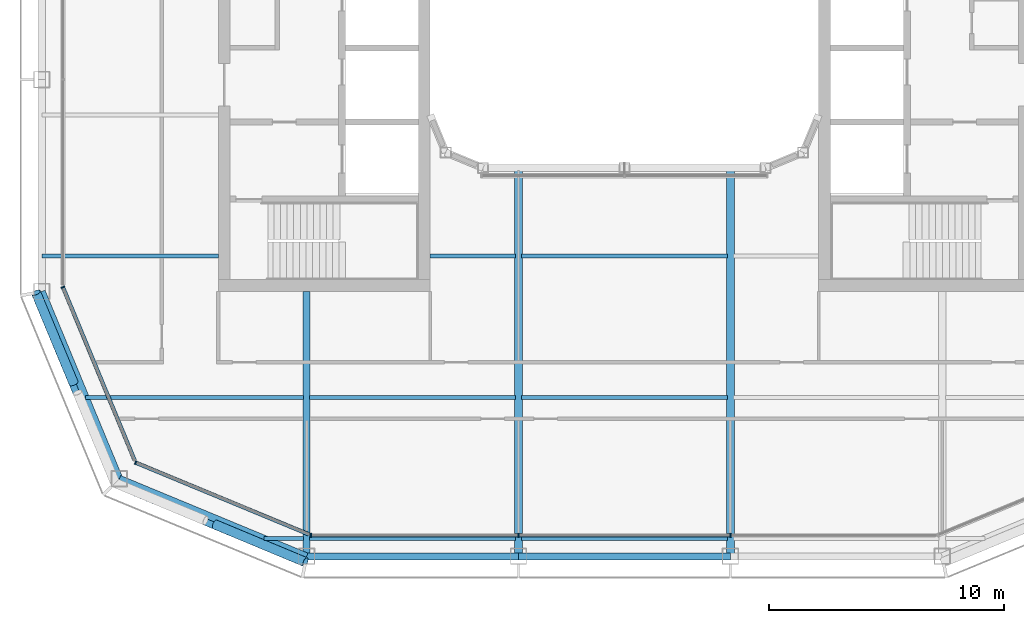
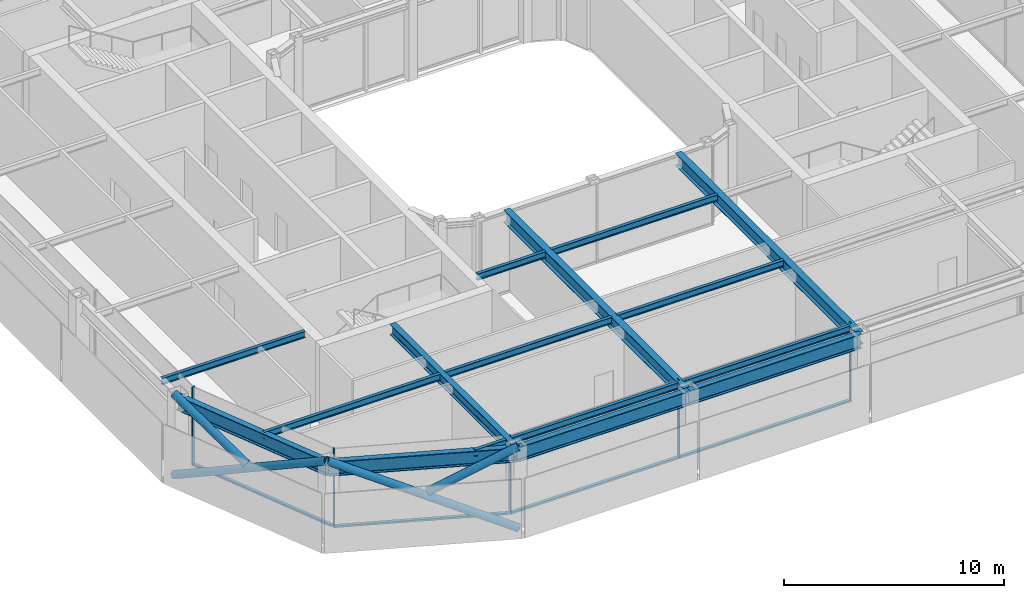
# One storey, part 3 of 21: 16 beams, 13 members, 3 elements without a shape of their own.
"""IFC4 building model written with IfcOpenShell, lengths in metres."""

from ifc_helpers import new_model, si_unit, direction, frame, origin, origin_2d, place, context, subcontext, project, spatial, rectangle, hollow_circle, i_section, extrude, material, layer, layer_set, material_profile, profile_set, type_object, element, aggregate, save


model = new_model("IFC4")

# Units and contexts
model_context = context("Model", 3, precision=1e-05, world=origin(), true_north=direction((0.0, 1.0)))
body_context = subcontext(model_context, "Body", "Model", "MODEL_VIEW")
ifc_project = project(units=[si_unit("LENGTHUNIT", "METRE"), si_unit("AREAUNIT", "SQUARE_METRE"), si_unit("VOLUMEUNIT", "CUBIC_METRE"), si_unit("PLANEANGLEUNIT", "RADIAN"), si_unit("MASSUNIT", "GRAM", prefix="KILO")], contexts=[model_context])

# Site, building, storey
site_placement = place(None, origin())
site = spatial("IfcSite", under=ifc_project, at=site_placement, CompositionType="ELEMENT")
building_placement = place(site_placement, origin())
building = spatial("IfcBuilding", under=site, at=building_placement, Name="Siwar Civic Tower", CompositionType="ELEMENT")
storey_placement = place(building_placement, frame((0.0, 0.0, 325.699951171875)))
storey = spatial("IfcBuildingStorey", under=building, at=storey_placement, Name="L70", CompositionType="ELEMENT", Elevation=325.699951171875)

# Curtain wall, members
ifc_material_1 = material(Name="Aluminium and glass", Category="aluminium")
ifc_layer_1 = layer(ifc_material_1, 0.159912109375)
ifc_layer_set_1 = layer_set([ifc_layer_1], Name="Aluminium and glass")
curtain_wall_type_1 = type_object("IfcCurtainWallType", Name="ENV-CW-D", PredefinedType="NOTDEFINED", material=ifc_layer_set_1)
curtain_wall_1_placement = place(storey_placement, origin())
curtain_wall_1 = element("IfcCurtainWall", 1, at=curtain_wall_1_placement, inside=storey, type_object=curtain_wall_type_1, Name="Curtain wall D S", PredefinedType="NOTDEFINED")
ifc_material_2 = material(Name="Aluminium 6063-T6", Category="aluminium")
ifc_material_profile_1 = material_profile(ifc_material_2, rectangle(XDim=0.159912109375, YDim=0.06005859375, at=origin_2d()), Name="AL 160x60")
ifc_profile_set_1 = profile_set([ifc_material_profile_1], Name="Aluminium 6063-T6")
member_type_1 = type_object("IfcMemberType", Name="ENV-MULLION-D", PredefinedType="MULLION", material=ifc_profile_set_1)
member_1_placement = place(storey_placement, frame((-13.321044921875, -23.85009765625, 0.0), z_axis=(0.0, 0.0, 1.0), x_axis=(0.0, 1.0, 0.0)))
member_1 = element("IfcMember", 2, at=member_1_placement, type_object=member_type_1, Name="Mullion D S 1", PredefinedType="MULLION", context=body_context, shape_type="SweptSolid", body=[
    extrude(rectangle(XDim=0.159912109375, YDim=0.06005859375, at=origin_2d()), origin(), (0.0, 0.0, 1.0), 4.35009765625),
])
member_2_placement = place(storey_placement, frame((-4.5, -23.85009765625, 0.0), z_axis=(0.0, 0.0, 1.0), x_axis=(0.0, 1.0, 0.0)))
member_2 = element("IfcMember", 3, at=member_2_placement, type_object=member_type_1, Name="Mullion D S 2", PredefinedType="MULLION", context=body_context, shape_type="SweptSolid", body=[
    extrude(rectangle(XDim=0.159912109375, YDim=0.06005859375, at=origin_2d()), origin(), (0.0, 0.0, 1.0), 4.35009765625),
])
member_3_placement = place(storey_placement, frame((4.5, -23.85009765625, 0.0), z_axis=(0.0, 0.0, 1.0), x_axis=(0.0, 1.0, 0.0)))
member_3 = element("IfcMember", 4, at=member_3_placement, type_object=member_type_1, Name="Mullion D S 3", PredefinedType="MULLION", context=body_context, shape_type="SweptSolid", body=[
    extrude(rectangle(XDim=0.159912109375, YDim=0.06005859375, at=origin_2d()), origin(), (0.0, 0.0, 1.0), 4.35009765625),
])

# Curtain wall, member
ifc_material_3 = material(Name="Aluminium clad insulated panel", Category="aluminium")
ifc_layer_2 = layer(ifc_material_3, 0.159912109375)
ifc_layer_set_2 = layer_set([ifc_layer_2], Name="Aluminium clad insulated panel")
curtain_wall_type_2 = type_object("IfcCurtainWallType", Name="ENV-CW-DX", PredefinedType="NOTDEFINED", material=ifc_layer_set_2)
curtain_wall_2_placement = place(storey_placement, origin())
curtain_wall_2 = element("IfcCurtainWall", 5, at=curtain_wall_2_placement, inside=storey, type_object=curtain_wall_type_2, Name="Curtain wall D SW1", PredefinedType="NOTDEFINED")
member_4_placement = place(storey_placement, frame((-23.85009765625, -13.321044921875, 0.0), z_axis=(0.0, 0.0, 1.0), x_axis=(0.923879532511, 0.382683432365, 0.0)))
member_4 = element("IfcMember", 6, at=member_4_placement, type_object=member_type_1, Name="Mullion D SW1 1", PredefinedType="MULLION", context=body_context, shape_type="SweptSolid", body=[
    extrude(rectangle(XDim=0.159912109375, YDim=0.06005859375, at=origin_2d()), origin(), (0.0, 0.0, 1.0), 4.35009765625),
])

curtain_wall_3_placement = place(storey_placement, origin())
curtain_wall_3 = element("IfcCurtainWall", 7, at=curtain_wall_3_placement, inside=storey, type_object=curtain_wall_type_2, Name="Curtain wall D SW2", PredefinedType="NOTDEFINED")
member_5_placement = place(storey_placement, frame((-20.76611328125, -20.76611328125, 0.0), z_axis=(0.0, 0.0, 1.0), x_axis=(0.382683432365, 0.923879532511, 0.0)))
member_5 = element("IfcMember", 8, at=member_5_placement, type_object=member_type_1, Name="Mullion D SW2 1", PredefinedType="MULLION", context=body_context, shape_type="SweptSolid", body=[
    extrude(rectangle(XDim=0.159912109375, YDim=0.06005859375, at=origin_2d()), origin(), (0.0, 0.0, 1.0), 4.35009765625),
])

# Member
ifc_material_4 = material(Name="Aluminium 6063-T6", Category="aluminium")
ifc_material_profile_2 = material_profile(ifc_material_4, rectangle(XDim=0.159912109375, YDim=0.10009765625, at=origin_2d()), Name="AL 160x100")
ifc_profile_set_2 = profile_set([ifc_material_profile_2], Name="Aluminium 6063-T6")
member_type_2 = type_object("IfcMemberType", Name="ENV-TRANSOM-D", PredefinedType="USERDEFINED", material=ifc_profile_set_2)
member_6_placement = place(storey_placement, frame((-13.291015625, -23.85009765625, 0.050048828125), z_axis=(1.0, 0.0, 0.0), x_axis=(0.0, 1.0, 0.0)))
member_6 = element("IfcMember", 9, at=member_6_placement, type_object=member_type_2, Name="Transom D S 1", ObjectType="TRANSOM", PredefinedType="USERDEFINED", context=body_context, shape_type="SweptSolid", body=[
    extrude(rectangle(XDim=0.159912109375, YDim=0.10009765625, at=origin_2d()), origin(), (0.0, 0.0, 1.0), 8.760986328125),
])

member_7_placement = place(storey_placement, frame((-4.469970703125, -23.85009765625, 0.050048828125), z_axis=(1.0, 0.0, 0.0), x_axis=(0.0, 1.0, 0.0)))
member_7 = element("IfcMember", 10, at=member_7_placement, type_object=member_type_2, Name="Transom D S 2", ObjectType="TRANSOM", PredefinedType="USERDEFINED", context=body_context, shape_type="SweptSolid", body=[
    extrude(rectangle(XDim=0.159912109375, YDim=0.10009765625, at=origin_2d()), origin(), (0.0, 0.0, 1.0), 8.93994140625),
])

aggregate(curtain_wall_1, [member_1, member_2, member_3, member_6, member_7])

member_8_placement = place(storey_placement, frame((-23.838623046875, -13.3486328125, 0.050048828125), z_axis=(0.382699790424, -0.923872756612, 0.0), x_axis=(0.923872756612, 0.382699790424, 0.0)))
member_8 = element("IfcMember", 11, at=member_8_placement, type_object=member_type_2, Name="Transom D SW1 1", ObjectType="TRANSOM", PredefinedType="USERDEFINED", context=body_context, shape_type="SweptSolid", body=[
    extrude(rectangle(XDim=0.159912109375, YDim=0.10009765625, at=origin_2d()), origin(), (0.0, 0.0, 1.0), 7.930908203125),
])

aggregate(curtain_wall_2, [member_4, member_8])

member_9_placement = place(storey_placement, frame((-20.738525390625, -20.777587890625, 0.050048828125), z_axis=(0.923883640343, -0.382673515031, 0.0), x_axis=(0.382673515031, 0.923883640343, 0.0)))
member_9 = element("IfcMember", 12, at=member_9_placement, type_object=member_type_2, Name="Transom D SW2 1", ObjectType="TRANSOM", PredefinedType="USERDEFINED", context=body_context, shape_type="SweptSolid", body=[
    extrude(rectangle(XDim=0.159912109375, YDim=0.10009765625, at=origin_2d()), origin(), (0.0, 0.0, 1.0), 7.930908203125),
])

aggregate(curtain_wall_3, [member_5, member_9])

# Members
ifc_material_5 = material(Name="Steel S355", Category="steel")
ifc_material_profile_3 = material_profile(ifc_material_5, hollow_circle(Radius=0.203125, WallThickness=0.01611328125, at=origin_2d()), Name="CHS406.4x16")
ifc_profile_set_3 = profile_set([ifc_material_profile_3], Name="Steel S355")
member_type_3 = type_object("IfcMemberType", Name="STR-BR-CHS406.4x16", PredefinedType="BRACE", material=ifc_profile_set_3)
member_10_placement = place(storey_placement, frame((-13.548828125, -24.9951171875, 0.0), z_axis=(-0.821142553604, 0.341671493852, 0.457149315816), x_axis=(-0.384163874976, -0.923264922524, 0.0)))
element("IfcMember", 13, at=member_10_placement, inside=storey, type_object=member_type_3, Name="L70/brc/DSW1-9-0-1", PredefinedType="BRACE", context=body_context, shape_type="SweptSolid", body=[
    extrude(hollow_circle(Radius=0.203125, WallThickness=0.01611328125, at=origin_2d()), origin(), (0.0, 0.0, 1.0), 9.843505859375),
])
member_11_placement = place(storey_placement, frame((-17.38916015625, -23.397216796875, 2.362060546875), z_axis=(0.821149689876, -0.341667178655, 0.457139722456), x_axis=(0.384156893273, 0.923267827529, 0.0)))
element("IfcMember", 14, at=member_11_placement, inside=storey, type_object=member_type_3, Name="L70/brc/DSW1-9-0-3", PredefinedType="BRACE", context=body_context, shape_type="SweptSolid", body=[
    extrude(hollow_circle(Radius=0.203125, WallThickness=0.01611328125, at=origin_2d()), origin(), (0.0, 0.0, 1.0), 4.6767578125),
])
member_12_placement = place(storey_placement, frame((-24.9951171875, -13.548828125, 0.0), z_axis=(0.341671493852, -0.821142553604, 0.457149315816), x_axis=(0.923264922524, 0.384163874976, 0.0)))
element("IfcMember", 15, at=member_12_placement, inside=storey, type_object=member_type_3, Name="L70/brc/DSW1-9-0-0", PredefinedType="BRACE", context=body_context, shape_type="SweptSolid", body=[
    extrude(hollow_circle(Radius=0.203125, WallThickness=0.01611328125, at=origin_2d()), origin(), (0.0, 0.0, 1.0), 9.843505859375),
])
member_13_placement = place(storey_placement, frame((-23.397216796875, -17.38916015625, 2.362060546875), z_axis=(-0.341667178655, 0.821149689876, 0.457139722456), x_axis=(-0.923267827529, -0.384156893273, 0.0)))
element("IfcMember", 16, at=member_13_placement, inside=storey, type_object=member_type_3, Name="L70/brc/DSW1-9-0-5", PredefinedType="BRACE", context=body_context, shape_type="SweptSolid", body=[
    extrude(hollow_circle(Radius=0.203125, WallThickness=0.01611328125, at=origin_2d()), origin(), (0.0, 0.0, 1.0), 4.6767578125),
])

# Beams
ifc_material_6 = material(Name="Steel S355", Category="steel")
ifc_material_profile_4 = material_profile(ifc_material_6, i_section(OverallWidth=0.169921875, OverallDepth=0.360107421875, WebThickness=0.008056640625, FlangeThickness=0.0126953125, FilletRadius=0.01806640625, at=origin_2d()), Name="IPE360")
ifc_profile_set_4 = profile_set([ifc_material_profile_4], Name="Steel S355")
beam_type_1 = type_object("IfcBeamType", Name="STR-FB-IPE360", PredefinedType="JOIST", material=ifc_profile_set_4)
beam_1_placement = place(storey_placement, frame((-15.310546875, -24.0, 4.170166015625), z_axis=(1.0, 0.0, 0.0), x_axis=(0.0, 1.0, 0.0)))
element("IfcBeam", 17, at=beam_1_placement, inside=storey, type_object=beam_type_1, Name="L70/bm/F001", PredefinedType="JOIST", context=body_context, shape_type="SweptSolid", body=[
    extrude(i_section(OverallWidth=0.169921875, OverallDepth=0.360107421875, WebThickness=0.008056640625, FlangeThickness=0.0126953125, FilletRadius=0.01806640625, at=origin_2d()), origin(), (0.0, 0.0, 1.0), 1.6806640625),
])
for number, where, z_axis, x_axis, name in (
    (18, (-13.3701171875, -24.0, 4.170166015625), (1.0, 0.0, 0.0), (0.0, 1.0, 0.0), "L70/bm/F002"),
    (19, (-4.3701171875, -24.0, 4.170166015625), (1.0, 0.0, 0.0), (0.0, 1.0, 0.0), "L70/bm/F003"),
):
    element("IfcBeam", number, at=place(storey_placement, frame(where, z_axis=z_axis, x_axis=x_axis)), inside=storey, type_object=beam_type_1, Name=name, PredefinedType="JOIST", context=body_context, shape_type="SweptSolid", body=[
        extrude(i_section(OverallWidth=0.169921875, OverallDepth=0.360107421875, WebThickness=0.008056640625, FlangeThickness=0.0126953125, FilletRadius=0.01806640625, at=origin_2d()), origin(), (0.0, 0.0, 1.0), 8.740234375),
    ])
beam_2_placement = place(storey_placement, frame((-22.885986328125, -18.0, 4.170166015625), z_axis=(1.0, 0.0, 0.0), x_axis=(0.0, 1.0, 0.0)))
element("IfcBeam", 20, at=beam_2_placement, inside=storey, type_object=beam_type_1, Name="L70/bm/F006", PredefinedType="JOIST", context=body_context, shape_type="SweptSolid", body=[
    extrude(i_section(OverallWidth=0.169921875, OverallDepth=0.360107421875, WebThickness=0.008056640625, FlangeThickness=0.0126953125, FilletRadius=0.01806640625, at=origin_2d()), origin(), (0.0, 0.0, 1.0), 9.256103515625),
])
for number, where, z_axis, x_axis, name in (
    (21, (-13.3701171875, -18.0, 4.170166015625), (1.0, 0.0, 0.0), (0.0, 1.0, 0.0), "L70/bm/F007"),
    (22, (-4.3701171875, -18.0, 4.170166015625), (1.0, 0.0, 0.0), (0.0, 1.0, 0.0), "L70/bm/F008"),
):
    element("IfcBeam", number, at=place(storey_placement, frame(where, z_axis=z_axis, x_axis=x_axis)), inside=storey, type_object=beam_type_1, Name=name, PredefinedType="JOIST", context=body_context, shape_type="SweptSolid", body=[
        extrude(i_section(OverallWidth=0.169921875, OverallDepth=0.360107421875, WebThickness=0.008056640625, FlangeThickness=0.0126953125, FilletRadius=0.01806640625, at=origin_2d()), origin(), (0.0, 0.0, 1.0), 8.740234375),
    ])
beam_3_placement = place(storey_placement, frame((-24.75, -12.0, 4.170166015625), z_axis=(1.0, 0.0, 0.0), x_axis=(0.0, 1.0, 0.0)))
element("IfcBeam", 23, at=beam_3_placement, inside=storey, type_object=beam_type_1, Name="L70/bm/F011", PredefinedType="JOIST", context=body_context, shape_type="SweptSolid", body=[
    extrude(i_section(OverallWidth=0.169921875, OverallDepth=0.360107421875, WebThickness=0.008056640625, FlangeThickness=0.0126953125, FilletRadius=0.01806640625, at=origin_2d()), origin(), (0.0, 0.0, 1.0), 7.5),
])
beam_4_placement = place(storey_placement, frame((-8.25, -12.0, 4.170166015625), z_axis=(1.0, 0.0, 0.0), x_axis=(0.0, 1.0, 0.0)))
element("IfcBeam", 24, at=beam_4_placement, inside=storey, type_object=beam_type_1, Name="L70/bm/F012", PredefinedType="JOIST", context=body_context, shape_type="SweptSolid", body=[
    extrude(i_section(OverallWidth=0.169921875, OverallDepth=0.360107421875, WebThickness=0.008056640625, FlangeThickness=0.0126953125, FilletRadius=0.01806640625, at=origin_2d()), origin(), (0.0, 0.0, 1.0), 3.6201171875),
])
beam_5_placement = place(storey_placement, frame((-4.3701171875, -12.0, 4.170166015625), z_axis=(1.0, 0.0, 0.0), x_axis=(0.0, 1.0, 0.0)))
element("IfcBeam", 25, at=beam_5_placement, inside=storey, type_object=beam_type_1, Name="L70/bm/F013", PredefinedType="JOIST", context=body_context, shape_type="SweptSolid", body=[
    extrude(i_section(OverallWidth=0.169921875, OverallDepth=0.360107421875, WebThickness=0.008056640625, FlangeThickness=0.0126953125, FilletRadius=0.01806640625, at=origin_2d()), origin(), (0.0, 0.0, 1.0), 8.740234375),
])
ifc_material_7 = material(Name="Steel S355", Category="steel")
ifc_material_profile_5 = material_profile(ifc_material_7, i_section(OverallWidth=0.300048828125, OverallDepth=0.60009765625, WebThickness=0.015380859375, FlangeThickness=0.030029296875, FilletRadius=0.027099609375, at=origin_2d()), Name="HEB600")
ifc_profile_set_5 = profile_set([ifc_material_profile_5], Name="Steel S355")
beam_type_2 = type_object("IfcBeamType", Name="STR-PG-HEB600", PredefinedType="BEAM", material=ifc_profile_set_5)
beam_6_placement = place(storey_placement, frame((-13.5, -24.75, 4.050048828125), z_axis=(0.0, 1.0, 0.0), x_axis=(-1.0, 0.0, 0.0)))
element("IfcBeam", 26, at=beam_6_placement, inside=storey, type_object=beam_type_2, Name="L70/bm/G01", PredefinedType="BEAM", context=body_context, shape_type="SweptSolid", body=[
    extrude(i_section(OverallWidth=0.300048828125, OverallDepth=0.60009765625, WebThickness=0.015380859375, FlangeThickness=0.030029296875, FilletRadius=0.027099609375, at=origin_2d()), origin(), (0.0, 0.0, 1.0), 11.25),
])
ifc_material_8 = material(Name="Steel S355", Category="steel")
ifc_material_profile_6 = material_profile(ifc_material_8, i_section(OverallWidth=0.340087890625, OverallDepth=0.699951171875, WebThickness=0.013916015625, FlangeThickness=0.030029296875, at=origin_2d()), Name="PG700x340x14x30")
ifc_profile_set_6 = profile_set([ifc_material_profile_6], Name="Steel S355")
beam_type_3 = type_object("IfcBeamType", Name="STR-PG-PG700x340x14x30", PredefinedType="BEAM", material=ifc_profile_set_6)
for number, where, z_axis, x_axis, name in (
    (27, (-4.5, -24.75, 4.0), (0.0, 1.0, 0.0), (-1.0, 0.0, 0.0), "L70/bm/G03"),
    (28, (4.5, -24.75, 4.0), (0.0, 1.0, 0.0), (-1.0, 0.0, 0.0), "L70/bm/G05"),
):
    element("IfcBeam", number, at=place(storey_placement, frame(where, z_axis=z_axis, x_axis=x_axis)), inside=storey, type_object=beam_type_3, Name=name, PredefinedType="BEAM", context=body_context, shape_type="SweptSolid", body=[
        extrude(i_section(OverallWidth=0.340087890625, OverallDepth=0.699951171875, WebThickness=0.013916015625, FlangeThickness=0.030029296875, at=origin_2d()), origin(), (0.0, 0.0, 1.0), 16.5),
    ])
ifc_material_9 = material(Name="Steel S355", Category="steel")
ifc_material_profile_7 = material_profile(ifc_material_9, i_section(OverallWidth=0.300048828125, OverallDepth=0.800048828125, WebThickness=0.017578125, FlangeThickness=0.032958984375, FilletRadius=0.030029296875, at=origin_2d()), Name="HEB800")
ifc_profile_set_7 = profile_set([ifc_material_profile_7], Name="Steel S355")
beam_type_4 = type_object("IfcBeamType", Name="STR-SB-HEB800", PredefinedType="BEAM", material=ifc_profile_set_7)
for number, where, z_axis, x_axis, name in (
    (29, (-13.5, -24.75, 3.949951171875), (1.0, 0.0, 0.0), (0.0, 1.0, 0.0), "L70/bm/SS-0"),
    (30, (-4.5, -24.75, 3.949951171875), (1.0, 0.0, 0.0), (0.0, 1.0, 0.0), "L70/bm/SS-1"),
):
    element("IfcBeam", number, at=place(storey_placement, frame(where, z_axis=z_axis, x_axis=x_axis)), inside=storey, type_object=beam_type_4, Name=name, PredefinedType="BEAM", context=body_context, shape_type="SweptSolid", body=[
        extrude(i_section(OverallWidth=0.300048828125, OverallDepth=0.800048828125, WebThickness=0.017578125, FlangeThickness=0.032958984375, FilletRadius=0.030029296875, at=origin_2d()), origin(), (0.0, 0.0, 1.0), 9.0),
    ])
for number, where, z_axis, x_axis, name in (
    (31, (-24.75, -13.5, 3.949951171875), (0.382699877515, -0.923872720536, 0.0), (0.923872720536, 0.382699877515, 0.0), "L70/bm/SSW1-0"),
    (32, (-21.454833984375, -21.454833984375, 3.949951171875), (0.923872720536, -0.382699877515, 0.0), (0.382699877515, 0.923872720536, 0.0), "L70/bm/SSW2-0"),
):
    element("IfcBeam", number, at=place(storey_placement, frame(where, z_axis=z_axis, x_axis=x_axis)), inside=storey, type_object=beam_type_4, Name=name, PredefinedType="BEAM", context=body_context, shape_type="SweptSolid", body=[
        extrude(i_section(OverallWidth=0.300048828125, OverallDepth=0.800048828125, WebThickness=0.017578125, FlangeThickness=0.032958984375, FilletRadius=0.030029296875, at=origin_2d()), origin(), (0.0, 0.0, 1.0), 8.6103515625),
    ])

save(model, "model.ifc")
